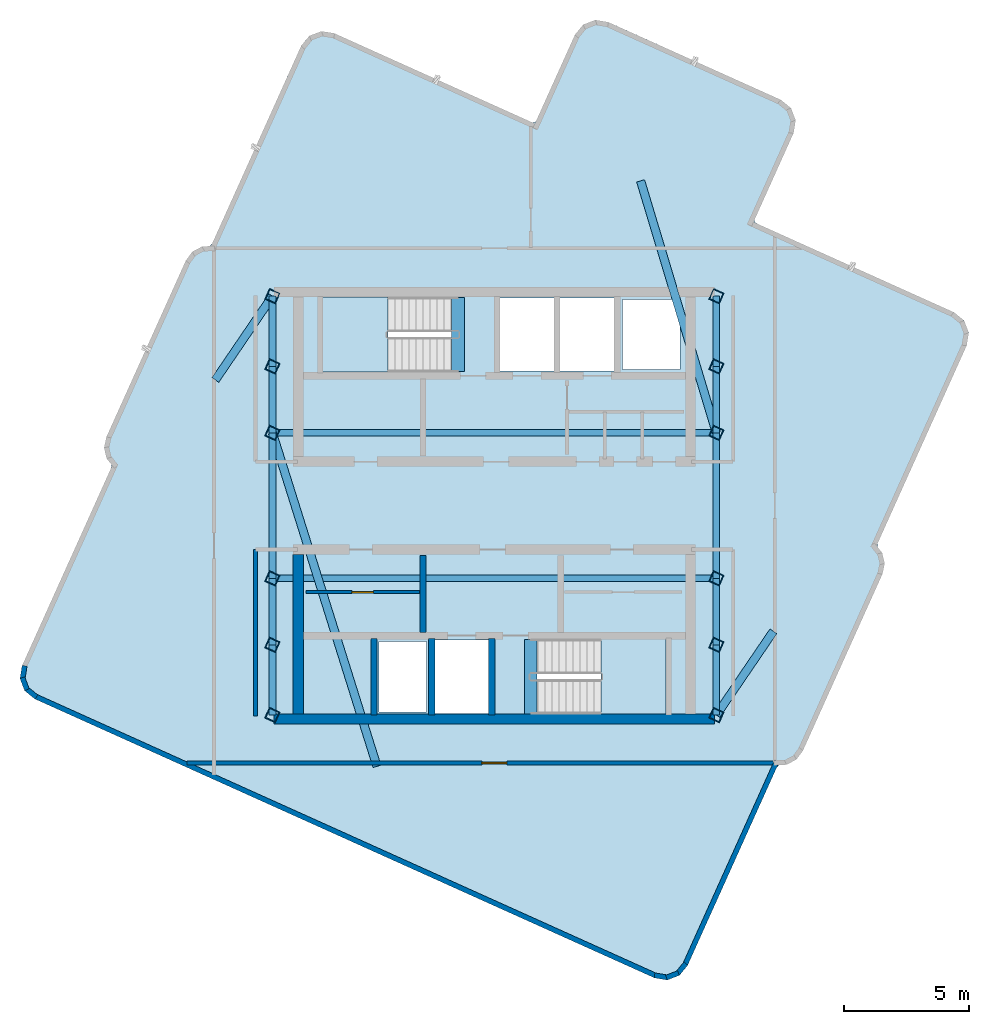
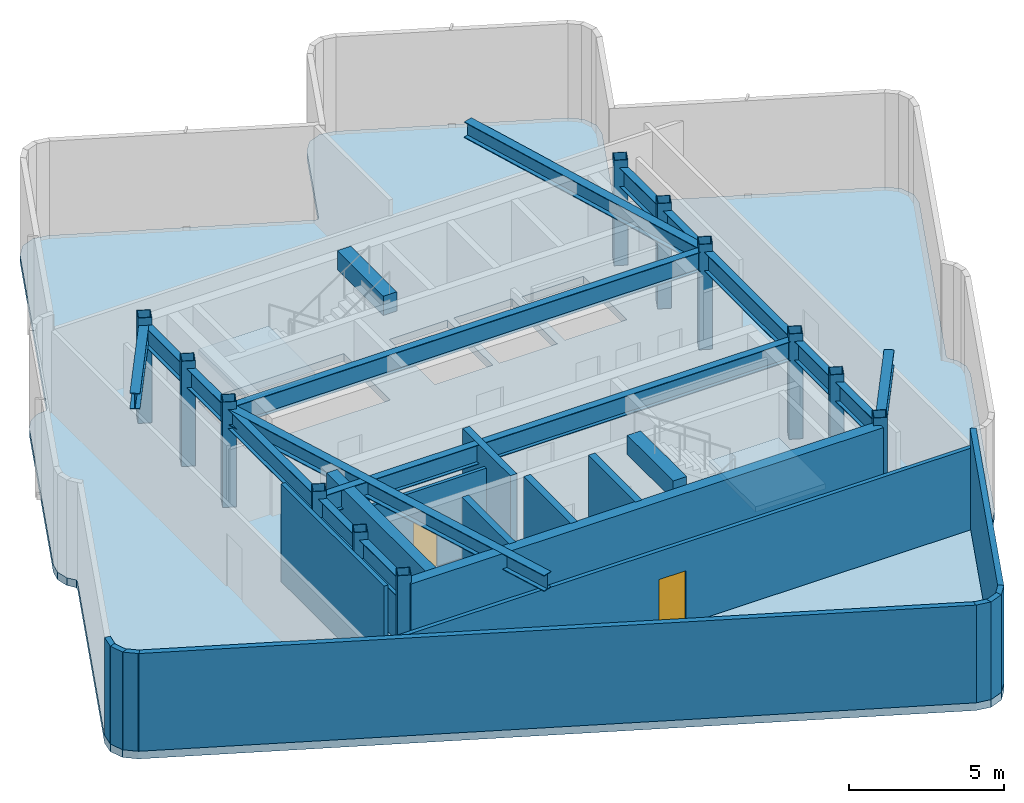
# One storey, part 1 of 4: 18 beams, 17 walls, 12 columns, 3 slabs, 2 doors, 2 openings, 2 elements without a shape of their own.
"""IFC4 building model written with IfcOpenShell, lengths in metres."""

from ifc_helpers import new_model, si_unit, direction, frame, frame_2d, origin, origin_2d, place, context, subcontext, project, spatial, polyline, rectangle, hollow_rectangle, i_section, outline, extrude, material, layer, layer_set, material_profile, profile_set, type_object, element, fill, aggregate, save


model = new_model("IFC4")

# Units and contexts
model_context = context("Model", 3, precision=1e-05, world=origin(), true_north=direction((0.0, 1.0)))
body_context = subcontext(model_context, "Body", "Model", "MODEL_VIEW")
ifc_project = project(units=[si_unit("LENGTHUNIT", "METRE"), si_unit("AREAUNIT", "SQUARE_METRE"), si_unit("VOLUMEUNIT", "CUBIC_METRE"), si_unit("PLANEANGLEUNIT", "RADIAN"), si_unit("MASSUNIT", "GRAM", prefix="KILO")], contexts=[model_context])

# Site, building, storey
site_placement = place(None, origin())
site = spatial("IfcSite", under=ifc_project, at=site_placement, CompositionType="ELEMENT")
building_placement = place(site_placement, origin())
building = spatial("IfcBuilding", under=site, at=building_placement, Name="Solmarez Civic Tower", CompositionType="ELEMENT")
storey_placement = place(building_placement, frame((0.0, 0.0, 297.5400390625)))
storey = spatial("IfcBuildingStorey", under=building, at=storey_placement, Name="L80 Crown", CompositionType="ELEMENT", Elevation=297.5400390625)

# Columns
ifc_material_1 = material(Name="Steel S355", Category="steel")
ifc_material_profile_1 = material_profile(ifc_material_1, hollow_rectangle(XDim=0.449951171875, YDim=0.449951171875, WallThickness=0.02197265625, at=origin_2d()), Name="HSS450X450X22")
ifc_profile_set_1 = profile_set([ifc_material_profile_1], Name="Steel S355")
column_type = type_object("IfcColumnType", Name="COL-HSS450", PredefinedType="COLUMN", material=ifc_profile_set_1)
for number, where, z_axis, x_axis, name in (
    (1, (-8.85009765625, -5.550048828125, 0.0), (0.0, 0.0, 1.0), (0.410559713862, 0.911833713653, 0.0), "L80 Crown Structural Column HC1"),
    (2, (-8.85009765625, -2.89990234375, 0.0), (0.0, 0.0, 1.0), (0.410559713862, 0.911833713653, 0.0), "L80 Crown Structural Column HC2"),
    (3, (-8.85009765625, 2.89990234375, 0.0), (0.0, 0.0, 1.0), (0.410559713862, 0.911833713653, 0.0), "L80 Crown Structural Column HC3"),
    (4, (-8.85009765625, 5.550048828125, 0.0), (0.0, 0.0, 1.0), (0.410559713862, 0.911833713653, 0.0), "L80 Crown Structural Column HC4"),
    (5, (8.85009765625, -5.550048828125, 0.0), (0.0, 0.0, 1.0), (0.410559713862, 0.911833713653, 0.0), "L80 Crown Structural Column HC5"),
    (6, (8.85009765625, -2.89990234375, 0.0), (0.0, 0.0, 1.0), (0.410559713862, 0.911833713653, 0.0), "L80 Crown Structural Column HC6"),
    (7, (8.85009765625, 2.89990234375, 0.0), (0.0, 0.0, 1.0), (0.410559713862, 0.911833713653, 0.0), "L80 Crown Structural Column HC7"),
    (8, (8.85009765625, 5.550048828125, 0.0), (0.0, 0.0, 1.0), (0.410559713862, 0.911833713653, 0.0), "L80 Crown Structural Column HC8"),
    (9, (-8.85009765625, 8.35009765625, 0.0), (0.0, 0.0, 1.0), (0.410559713862, 0.911833713653, 0.0), "L80 Crown Structural Column HC9"),
    (10, (8.85009765625, -8.35009765625, 0.0), (0.0, 0.0, 1.0), (0.410559713862, 0.911833713653, 0.0), "L80 Crown Structural Column HC10"),
    (11, (8.85009765625, 8.35009765625, 0.0), (0.0, 0.0, 1.0), (0.410559713862, 0.911833713653, 0.0), "L80 Crown Structural Column HC11"),
    (12, (-8.85009765625, -8.35009765625, 0.0), (0.0, 0.0, 1.0), (0.410559713862, 0.911833713653, 0.0), "L80 Crown Structural Column HC12"),
):
    element("IfcColumn", number, at=place(storey_placement, frame(where, z_axis=z_axis, x_axis=x_axis)), inside=storey, type_object=column_type, Name=name, PredefinedType="COLUMN", context=body_context, shape_type="SweptSolid", body=[
        extrude(hollow_rectangle(XDim=0.449951171875, YDim=0.449951171875, WallThickness=0.02197265625, at=origin_2d()), origin(), (0.0, 0.0, 1.0), 4.139892578125),
    ])

# Beams
ifc_material_2 = material(Name="Concrete C50/60", Category="concrete")
ifc_material_profile_2 = material_profile(ifc_material_2, rectangle(XDim=0.5, YDim=0.75, at=origin_2d()), Name="RC500X750")
ifc_profile_set_2 = profile_set([ifc_material_profile_2], Name="Concrete C50/60")
beam_type_1 = type_object("IfcBeamType", Name="BM-PR-RC500X750", PredefinedType="BEAM", material=ifc_profile_set_2)
for number, where, z_axis, x_axis, name in (
    (13, (-1.449951171875, 5.340087890625, 3.77294921875), (0.0, 1.0, 0.0), (-1.0, 0.0, 0.0), "L80 Crown North Stair Threshold Beam"),
    (14, (1.449951171875, -8.300048828125, 3.77294921875), (0.0, 1.0, 0.0), (-1.0, 0.0, 0.0), "L80 Crown South Stair Threshold Beam"),
):
    element("IfcBeam", number, at=place(storey_placement, frame(where, z_axis=z_axis, x_axis=x_axis)), inside=storey, type_object=beam_type_1, Name=name, PredefinedType="BEAM", context=body_context, shape_type="SweptSolid", body=[
        extrude(rectangle(XDim=0.5, YDim=0.75, at=origin_2d()), origin(), (0.0, 0.0, 1.0), 2.9599609375),
    ])
ifc_material_profile_3 = material_profile(ifc_material_1, i_section(OverallWidth=0.327880859375, OverallDepth=0.6220703125, WebThickness=0.015380859375, FlangeThickness=0.0244140625, at=origin_2d()), Name="W24X131")
ifc_profile_set_3 = profile_set([ifc_material_profile_3], Name="Steel S355")
beam_type_2 = type_object("IfcBeamType", Name="BM-PR-W24X131", PredefinedType="BEAM", material=ifc_profile_set_3)
beam_1_placement = place(storey_placement, frame((8.85009765625, 2.89990234375, 3.529052734375), z_axis=(-0.287836709223, 0.957679502142, 0.0), x_axis=(-0.957679502142, -0.287836709223, 0.0)))
element("IfcBeam", 15, at=beam_1_placement, inside=storey, type_object=beam_type_2, Name="L80 Crown Primary Floor Beam BM-L80 Crown-CR-E2", PredefinedType="BEAM", context=body_context, shape_type="SweptSolid", body=[
    extrude(i_section(OverallWidth=0.327880859375, OverallDepth=0.6220703125, WebThickness=0.015380859375, FlangeThickness=0.0244140625, at=origin_2d()), origin(), (0.0, 0.0, 1.0), 10.4921875),
])
beam_2_placement = place(storey_placement, frame((-8.85009765625, 8.35009765625, 3.529052734375), z_axis=(-0.56264870041, -0.826696098895, 0.0), x_axis=(0.826696098895, -0.56264870041, 0.0)))
element("IfcBeam", 16, at=beam_2_placement, inside=storey, type_object=beam_type_2, Name="L80 Crown Primary Floor Beam BM-L80 Crown-CR-N2", PredefinedType="BEAM", context=body_context, shape_type="SweptSolid", body=[
    extrude(i_section(OverallWidth=0.327880859375, OverallDepth=0.6220703125, WebThickness=0.015380859375, FlangeThickness=0.0244140625, at=origin_2d()), origin(), (0.0, 0.0, 1.0), 4.04150390625),
])
beam_3_placement = place(storey_placement, frame((-8.85009765625, 2.89990234375, 3.529052734375), z_axis=(0.299288465679, -0.954162677069, 0.0), x_axis=(0.954162677069, 0.299288465679, 0.0)))
element("IfcBeam", 17, at=beam_3_placement, inside=storey, type_object=beam_type_2, Name="L80 Crown Primary Floor Beam BM-L80 Crown-CR-W1", PredefinedType="BEAM", context=body_context, shape_type="SweptSolid", body=[
    extrude(i_section(OverallWidth=0.327880859375, OverallDepth=0.6220703125, WebThickness=0.015380859375, FlangeThickness=0.0244140625, at=origin_2d()), origin(), (0.0, 0.0, 1.0), 13.93359375),
])
beam_4_placement = place(storey_placement, frame((8.85009765625, -8.35009765625, 3.529052734375), z_axis=(0.56264870041, 0.826696098895, 0.0), x_axis=(-0.826696098895, 0.56264870041, 0.0)))
element("IfcBeam", 18, at=beam_4_placement, inside=storey, type_object=beam_type_2, Name="L80 Crown Primary Floor Beam BM-L80 Crown-CR-S2", PredefinedType="BEAM", context=body_context, shape_type="SweptSolid", body=[
    extrude(i_section(OverallWidth=0.327880859375, OverallDepth=0.6220703125, WebThickness=0.015380859375, FlangeThickness=0.0244140625, at=origin_2d()), origin(), (0.0, 0.0, 1.0), 4.04150390625),
])
ifc_material_profile_4 = material_profile(ifc_material_1, i_section(OverallWidth=0.26708984375, OverallDepth=0.761962890625, WebThickness=0.014404296875, FlangeThickness=0.021484375, at=origin_2d()), Name="W30X116")
ifc_profile_set_4 = profile_set([ifc_material_profile_4], Name="Steel S355")
beam_type_3 = type_object("IfcBeamType", Name="BM-PR-W30X116", PredefinedType="BEAM", material=ifc_profile_set_4)
beam_5_placement = place(storey_placement, frame((-8.85009765625, -8.35009765625, 3.458984375), z_axis=(0.0, 1.0, 0.0), x_axis=(-1.0, 0.0, 0.0)))
element("IfcBeam", 19, at=beam_5_placement, inside=storey, type_object=beam_type_3, Name="L80 Crown Primary Floor Beam BM-L80 Crown-HC12-HC1", PredefinedType="BEAM", context=body_context, shape_type="SweptSolid", body=[
    extrude(i_section(OverallWidth=0.26708984375, OverallDepth=0.761962890625, WebThickness=0.014404296875, FlangeThickness=0.021484375, at=origin_2d()), origin(), (0.0, 0.0, 1.0), 2.800048828125),
])
beam_6_placement = place(storey_placement, frame((-8.85009765625, -5.550048828125, 3.458984375), z_axis=(0.0, 1.0, 0.0), x_axis=(-1.0, 0.0, 0.0)))
element("IfcBeam", 20, at=beam_6_placement, inside=storey, type_object=beam_type_3, Name="L80 Crown Primary Floor Beam BM-L80 Crown-HC1-HC2", PredefinedType="BEAM", context=body_context, shape_type="SweptSolid", body=[
    extrude(i_section(OverallWidth=0.26708984375, OverallDepth=0.761962890625, WebThickness=0.014404296875, FlangeThickness=0.021484375, at=origin_2d()), origin(), (0.0, 0.0, 1.0), 2.650146484375),
])
beam_7_placement = place(storey_placement, frame((-8.85009765625, -2.89990234375, 3.458984375), z_axis=(0.0, 1.0, 0.0), x_axis=(-1.0, 0.0, 0.0)))
element("IfcBeam", 21, at=beam_7_placement, inside=storey, type_object=beam_type_3, Name="L80 Crown Primary Floor Beam BM-L80 Crown-HC2-HC3", PredefinedType="BEAM", context=body_context, shape_type="SweptSolid", body=[
    extrude(i_section(OverallWidth=0.26708984375, OverallDepth=0.761962890625, WebThickness=0.014404296875, FlangeThickness=0.021484375, at=origin_2d()), origin(), (0.0, 0.0, 1.0), 5.7998046875),
])
beam_8_placement = place(storey_placement, frame((-8.85009765625, 2.89990234375, 3.458984375), z_axis=(0.0, 1.0, 0.0), x_axis=(-1.0, 0.0, 0.0)))
element("IfcBeam", 22, at=beam_8_placement, inside=storey, type_object=beam_type_3, Name="L80 Crown Primary Floor Beam BM-L80 Crown-HC3-HC4", PredefinedType="BEAM", context=body_context, shape_type="SweptSolid", body=[
    extrude(i_section(OverallWidth=0.26708984375, OverallDepth=0.761962890625, WebThickness=0.014404296875, FlangeThickness=0.021484375, at=origin_2d()), origin(), (0.0, 0.0, 1.0), 2.650146484375),
])
for number, where, z_axis, x_axis, name in (
    (23, (-8.85009765625, 5.550048828125, 3.458984375), (0.0, 1.0, 0.0), (-1.0, 0.0, 0.0), "L80 Crown Primary Floor Beam BM-L80 Crown-HC4-HC9"),
    (24, (8.85009765625, -8.35009765625, 3.458984375), (0.0, 1.0, 0.0), (-1.0, 0.0, 0.0), "L80 Crown Primary Floor Beam BM-L80 Crown-HC10-HC5"),
):
    element("IfcBeam", number, at=place(storey_placement, frame(where, z_axis=z_axis, x_axis=x_axis)), inside=storey, type_object=beam_type_3, Name=name, PredefinedType="BEAM", context=body_context, shape_type="SweptSolid", body=[
        extrude(i_section(OverallWidth=0.26708984375, OverallDepth=0.761962890625, WebThickness=0.014404296875, FlangeThickness=0.021484375, at=origin_2d()), origin(), (0.0, 0.0, 1.0), 2.800048828125),
    ])
beam_9_placement = place(storey_placement, frame((8.85009765625, -5.550048828125, 3.458984375), z_axis=(0.0, 1.0, 0.0), x_axis=(-1.0, 0.0, 0.0)))
element("IfcBeam", 25, at=beam_9_placement, inside=storey, type_object=beam_type_3, Name="L80 Crown Primary Floor Beam BM-L80 Crown-HC5-HC6", PredefinedType="BEAM", context=body_context, shape_type="SweptSolid", body=[
    extrude(i_section(OverallWidth=0.26708984375, OverallDepth=0.761962890625, WebThickness=0.014404296875, FlangeThickness=0.021484375, at=origin_2d()), origin(), (0.0, 0.0, 1.0), 2.650146484375),
])
beam_10_placement = place(storey_placement, frame((8.85009765625, -2.89990234375, 3.458984375), z_axis=(0.0, 1.0, 0.0), x_axis=(-1.0, 0.0, 0.0)))
element("IfcBeam", 26, at=beam_10_placement, inside=storey, type_object=beam_type_3, Name="L80 Crown Primary Floor Beam BM-L80 Crown-HC6-HC7", PredefinedType="BEAM", context=body_context, shape_type="SweptSolid", body=[
    extrude(i_section(OverallWidth=0.26708984375, OverallDepth=0.761962890625, WebThickness=0.014404296875, FlangeThickness=0.021484375, at=origin_2d()), origin(), (0.0, 0.0, 1.0), 5.7998046875),
])
beam_11_placement = place(storey_placement, frame((8.85009765625, 2.89990234375, 3.458984375), z_axis=(0.0, 1.0, 0.0), x_axis=(-1.0, 0.0, 0.0)))
element("IfcBeam", 27, at=beam_11_placement, inside=storey, type_object=beam_type_3, Name="L80 Crown Primary Floor Beam BM-L80 Crown-HC7-HC8", PredefinedType="BEAM", context=body_context, shape_type="SweptSolid", body=[
    extrude(i_section(OverallWidth=0.26708984375, OverallDepth=0.761962890625, WebThickness=0.014404296875, FlangeThickness=0.021484375, at=origin_2d()), origin(), (0.0, 0.0, 1.0), 2.650146484375),
])
beam_12_placement = place(storey_placement, frame((8.85009765625, 5.550048828125, 3.458984375), z_axis=(0.0, 1.0, 0.0), x_axis=(-1.0, 0.0, 0.0)))
element("IfcBeam", 28, at=beam_12_placement, inside=storey, type_object=beam_type_3, Name="L80 Crown Primary Floor Beam BM-L80 Crown-HC8-HC11", PredefinedType="BEAM", context=body_context, shape_type="SweptSolid", body=[
    extrude(i_section(OverallWidth=0.26708984375, OverallDepth=0.761962890625, WebThickness=0.014404296875, FlangeThickness=0.021484375, at=origin_2d()), origin(), (0.0, 0.0, 1.0), 2.800048828125),
])
for number, where, z_axis, x_axis, name in (
    (29, (-8.85009765625, -2.89990234375, 3.458984375), (1.0, 0.0, 0.0), (0.0, 1.0, 0.0), "L80 Crown Primary Floor Beam BM-L80 Crown-HC2-HC6"),
    (30, (-8.85009765625, 2.89990234375, 3.458984375), (1.0, 0.0, 0.0), (0.0, 1.0, 0.0), "L80 Crown Primary Floor Beam BM-L80 Crown-HC3-HC7"),
):
    element("IfcBeam", number, at=place(storey_placement, frame(where, z_axis=z_axis, x_axis=x_axis)), inside=storey, type_object=beam_type_3, Name=name, PredefinedType="BEAM", context=body_context, shape_type="SweptSolid", body=[
        extrude(i_section(OverallWidth=0.26708984375, OverallDepth=0.761962890625, WebThickness=0.014404296875, FlangeThickness=0.021484375, at=origin_2d()), origin(), (0.0, 0.0, 1.0), 17.7001953125),
    ])

# Slab
ifc_layer_1 = layer(ifc_material_2, 0.300048828125)
ifc_layer_set_1 = layer_set([ifc_layer_1], Name="Concrete C50/60")
slab_type_1 = type_object("IfcSlabType", Name="SLAB-CROWN-300", PredefinedType="FLOOR", material=ifc_layer_set_1)
slab_1_placement = place(storey_placement, frame((0.0, 0.0, -0.300048828125)))
element("IfcSlab", 31, at=slab_1_placement, inside=storey, type_object=slab_type_1, Name="L80 Crown Structural Slab", PredefinedType="FLOOR", context=body_context, shape_type="SweptSolid", body=[
    extrude(outline(polyline([(-15.263916015625, 1.612060546875), (-15.282958984375, 1.49609375), (-18.830078125, -6.382080078125), (-18.9130859375, -6.89306640625), (-18.72998046875, -7.376953125), (-18.3291015625, -7.7041015625), (6.382080078125, -18.830078125), (6.89306640625, -18.9130859375), (7.376953125, -18.72998046875), (7.7041015625, -18.3291015625), (11.2509765625, -10.450927734375), (11.325927734375, -10.360107421875), (11.364990234375, -10.344970703125), (11.657958984375, -10.327880859375), (12.0400390625, -10.123046875), (12.298095703125, -9.77587890625), (15.471923828125, -2.72802734375), (15.56005859375, -2.303955078125), (15.4609375, -1.882080078125), (15.279052734375, -1.652099609375), (15.263916015625, -1.612060546875), (15.282958984375, -1.49609375), (18.830078125, 6.382080078125), (18.9130859375, 6.89306640625), (18.72998046875, 7.376953125), (18.3291015625, 7.7041015625), (10.450927734375, 11.2509765625), (10.367919921875, 11.319091796875), (10.385009765625, 11.425048828125), (11.927978515625, 14.85205078125), (12.010986328125, 15.363037109375), (11.827880859375, 15.846923828125), (11.427001953125, 16.175048828125), (4.534912109375, 19.278076171875), (4.02490234375, 19.361083984375), (3.541015625, 19.177001953125), (3.212890625, 18.77587890625), (1.669921875, 15.34912109375), (1.60205078125, 15.26611328125), (1.49609375, 15.282958984375), (-6.382080078125, 18.830078125), (-6.89306640625, 18.9130859375), (-7.376953125, 18.72998046875), (-7.7041015625, 18.3291015625), (-11.2509765625, 10.450927734375), (-11.325927734375, 10.360107421875), (-11.364990234375, 10.344970703125), (-11.657958984375, 10.327880859375), (-12.0400390625, 10.123046875), (-12.298095703125, 9.77587890625), (-15.471923828125, 2.72802734375), (-15.56005859375, 2.303955078125), (-15.4609375, 1.882080078125), (-15.279052734375, 1.652099609375), (-15.263916015625, 1.612060546875)]), holes=[polyline([(-1.449951171875, 8.320068359375), (-6.85009765625, 8.320068359375), (-6.85009765625, 5.320068359375), (-1.449951171875, 5.320068359375), (-1.449951171875, 8.320068359375)]), polyline([(1.449951171875, -8.320068359375), (6.85009765625, -8.320068359375), (6.85009765625, -5.320068359375), (1.449951171875, -5.320068359375), (1.449951171875, -8.320068359375)]), polyline([(0.219970703125, 5.360107421875), (2.3798828125, 5.360107421875), (2.3798828125, 8.280029296875), (0.219970703125, 8.280029296875), (0.219970703125, 5.360107421875)]), polyline([(2.6201171875, 5.360107421875), (4.780029296875, 5.360107421875), (4.780029296875, 8.280029296875), (2.6201171875, 8.280029296875), (2.6201171875, 5.360107421875)]), polyline([(-2.3798828125, -8.280029296875), (-0.219970703125, -8.280029296875), (-0.219970703125, -5.360107421875), (-2.3798828125, -5.360107421875), (-2.3798828125, -8.280029296875)]), polyline([(5.10009765625, 5.419921875), (7.39990234375, 5.419921875), (7.39990234375, 8.219970703125), (5.10009765625, 8.219970703125), (5.10009765625, 5.419921875)]), polyline([(-4.60009765625, -8.219970703125), (-2.699951171875, -8.219970703125), (-2.699951171875, -5.419921875), (-4.60009765625, -5.419921875), (-4.60009765625, -8.219970703125)])]), origin(), (0.0, 0.0, 1.0), 0.300048828125),
])

# Stair, slab
stair_type = type_object("IfcStairType", Name="STAIR-DOGLEG-140W-22R-1882", PredefinedType="HALF_TURN_STAIR", material=ifc_material_2)
stair_1_placement = place(storey_placement, origin())
stair_1 = element("IfcStair", 32, at=stair_1_placement, inside=storey, type_object=stair_type, Name="L80 Crown North Core Protected Exit Stair ST-1", PredefinedType="HALF_TURN_STAIR")
ifc_layer_2 = layer(ifc_material_2, 0.199951171875)
ifc_layer_set_2 = layer_set([ifc_layer_2], Name="Concrete C50/60")
slab_type_2 = type_object("IfcSlabType", Name="SLAB-LANDING-200", PredefinedType="LANDING", material=ifc_layer_set_2)
slab_2_placement = place(storey_placement, frame((0.0, 0.0, 1.869873046875)))
slab_2 = element("IfcSlab", 33, at=slab_2_placement, type_object=slab_type_2, Name="ST-1 landing 1", PredefinedType="LANDING", context=body_context, shape_type="SweptSolid", body=[
    extrude(outline(polyline([(-4.25, 8.320068359375), (-6.85009765625, 8.320068359375), (-6.85009765625, 5.320068359375), (-4.25, 5.320068359375), (-4.25, 8.320068359375)])), origin(), (0.0, 0.0, 1.0), 0.2001953125),
])
aggregate(stair_1, [slab_2])

stair_2_placement = place(storey_placement, origin())
stair_2 = element("IfcStair", 34, at=stair_2_placement, inside=storey, type_object=stair_type, Name="L80 Crown South Core Protected Exit Stair ST-2", PredefinedType="HALF_TURN_STAIR")
slab_3_placement = place(storey_placement, frame((0.0, 0.0, 1.869873046875)))
slab_3 = element("IfcSlab", 35, at=slab_3_placement, type_object=slab_type_2, Name="ST-2 landing 1", PredefinedType="LANDING", context=body_context, shape_type="SweptSolid", body=[
    extrude(outline(polyline([(4.25, -8.320068359375), (6.85009765625, -8.320068359375), (6.85009765625, -5.320068359375), (4.25, -5.320068359375), (4.25, -8.320068359375)])), origin(), (0.0, 0.0, 1.0), 0.2001953125),
])
aggregate(stair_2, [slab_3])

# Walls
ifc_layer_3 = layer(ifc_material_2, 0.39990234375)
ifc_layer_set_3 = layer_set([ifc_layer_3], Name="Concrete C50/60")
wall_type_1 = type_object("IfcWallType", Name="WALL-CORE-400", PredefinedType="SHEAR", material=ifc_layer_set_3)
wall_1_placement = place(storey_placement, frame((8.780029296875, -8.510009765625, 0.0), z_axis=(0.0, 0.0, 1.0), x_axis=(-1.0, 0.0, 0.0)))
element("IfcWall", 36, at=wall_1_placement, inside=storey, type_object=wall_type_1, Name="L80 Crown Split-Core Structural Wall SCW-S-L80 Crown", PredefinedType="SHEAR", context=body_context, shape_type="SweptSolid", body=[
    extrude(rectangle(XDim=17.56005859375, YDim=0.39990234375, at=frame_2d((8.780029296875, 0.0))), origin(), (0.0, 0.0, 1.0), 3.83984375),
])
wall_2_placement = place(storey_placement, frame((-7.820068359375, -8.31005859375, 0.0), z_axis=(0.0, 0.0, 1.0), x_axis=(0.0, 1.0, 0.0)))
element("IfcWall", 37, at=wall_2_placement, inside=storey, type_object=wall_type_1, Name="L80 Crown Split-Core Structural Wall SCW-W-L80 Crown", PredefinedType="SHEAR", context=body_context, shape_type="SweptSolid", body=[
    extrude(rectangle(XDim=6.360107421875, YDim=0.39990234375, at=frame_2d((3.18017578125, 0.0))), origin(), (0.0, 0.0, 1.0), 3.83984375),
])
ifc_material_3 = material(Name="Precast concrete C40/50", Category="concrete")
ifc_layer_4 = layer(ifc_material_3, 0.199951171875)
ifc_layer_set_4 = layer_set([ifc_layer_4], Name="Precast concrete C40/50")
wall_type_2 = type_object("IfcWallType", Name="WALL-EXT-200", PredefinedType="SOLIDWALL", material=ifc_layer_set_4)
wall_3_placement = place(storey_placement, frame((11.263916015625, -10.178955078125, 0.0), z_axis=(0.0, 0.0, 1.0), x_axis=(-0.410547059118, -0.911839411437, 0.0)))
element("IfcWall", 38, at=wall_3_placement, inside=storey, type_object=wall_type_2, Name="L80 Crown Exterior Precast Wall 44", PredefinedType="SOLIDWALL", context=body_context, shape_type="SweptSolid", body=[
    extrude(rectangle(XDim=8.9052734375, YDim=0.199951171875, at=frame_2d((4.45263671875, 0.0))), origin(), (0.0, 0.0, 1.0), 3.83984375),
])
wall_4_placement = place(storey_placement, frame((7.634033203125, -18.257080078125, 0.0), z_axis=(0.0, 0.0, 1.0), x_axis=(-0.63346470779, -0.773771583857, 0.0)))
element("IfcWall", 39, at=wall_4_placement, inside=storey, type_object=wall_type_2, Name="L80 Crown Exterior Precast Wall 45", PredefinedType="SOLIDWALL", context=body_context, shape_type="SweptSolid", body=[
    extrude(rectangle(XDim=0.52734375, YDim=0.199951171875, at=frame_2d((0.263671875, 0.0))), origin(), (0.0, 0.0, 1.0), 3.83984375),
])
wall_5_placement = place(storey_placement, frame((7.339111328125, -18.636962890625, 0.0), z_axis=(0.0, 0.0, 1.0), x_axis=(-0.935013831521, -0.354611244695, 0.0)))
element("IfcWall", 40, at=wall_5_placement, inside=storey, type_object=wall_type_2, Name="L80 Crown Exterior Precast Wall 46", PredefinedType="SOLIDWALL", context=body_context, shape_type="SweptSolid", body=[
    extrude(rectangle(XDim=0.513671875, YDim=0.199951171875, at=frame_2d((0.2568359375, 0.0))), origin(), (0.0, 0.0, 1.0), 3.83984375),
])
wall_6_placement = place(storey_placement, frame((6.906982421875, -18.81396484375, 0.0), z_axis=(0.0, 0.0, 1.0), x_axis=(-0.987255192858, 0.159145166984, 0.0)))
element("IfcWall", 41, at=wall_6_placement, inside=storey, type_object=wall_type_2, Name="L80 Crown Exterior Precast Wall 47", PredefinedType="SOLIDWALL", context=body_context, shape_type="SweptSolid", body=[
    extrude(rectangle(XDim=0.52783203125, YDim=0.199951171875, at=frame_2d((0.263916015625, 0.0))), origin(), (0.0, 0.0, 1.0), 3.83984375),
])
wall_7_placement = place(storey_placement, frame((6.43408203125, -18.743896484375, 0.0), z_axis=(0.0, 0.0, 1.0), x_axis=(-0.911837784954, 0.410550671574, 0.0)))
element("IfcWall", 42, at=wall_7_placement, inside=storey, type_object=wall_type_2, Name="L80 Crown Exterior Precast Wall 48", PredefinedType="SOLIDWALL", context=body_context, shape_type="SweptSolid", body=[
    extrude(rectangle(XDim=27.12451171875, YDim=0.199951171875, at=frame_2d((13.562255859375, 0.0))), origin(), (0.0, 0.0, 1.0), 3.83984375),
])
wall_8_placement = place(storey_placement, frame((-18.257080078125, -7.634033203125, 0.0), z_axis=(0.0, 0.0, 1.0), x_axis=(-0.773771583857, 0.63346470779, 0.0)))
element("IfcWall", 43, at=wall_8_placement, inside=storey, type_object=wall_type_2, Name="L80 Crown Exterior Precast Wall 49", PredefinedType="SOLIDWALL", context=body_context, shape_type="SweptSolid", body=[
    extrude(rectangle(XDim=0.52734375, YDim=0.199951171875, at=frame_2d((0.263671875, 0.0))), origin(), (0.0, 0.0, 1.0), 3.83984375),
])
wall_9_placement = place(storey_placement, frame((-18.636962890625, -7.339111328125, 0.0), z_axis=(0.0, 0.0, 1.0), x_axis=(-0.354611244695, 0.935013831521, 0.0)))
element("IfcWall", 44, at=wall_9_placement, inside=storey, type_object=wall_type_2, Name="L80 Crown Exterior Precast Wall 50", PredefinedType="SOLIDWALL", context=body_context, shape_type="SweptSolid", body=[
    extrude(rectangle(XDim=0.513671875, YDim=0.199951171875, at=frame_2d((0.2568359375, 0.0))), origin(), (0.0, 0.0, 1.0), 3.83984375),
])
wall_10_placement = place(storey_placement, frame((-18.81396484375, -6.906982421875, 0.0), z_axis=(0.0, 0.0, 1.0), x_axis=(0.159145166984, 0.987255192858, 0.0)))
element("IfcWall", 45, at=wall_10_placement, inside=storey, type_object=wall_type_2, Name="L80 Crown Exterior Precast Wall 51", PredefinedType="SOLIDWALL", context=body_context, shape_type="SweptSolid", body=[
    extrude(rectangle(XDim=0.52783203125, YDim=0.199951171875, at=frame_2d((0.263916015625, 0.0))), origin(), (0.0, 0.0, 1.0), 3.83984375),
])
ifc_material_4 = material(Name="Gypsum Board Acoustic Steel-Stud Partition", Category="steel")
ifc_layer_5 = layer(ifc_material_4, 0.14990234375)
ifc_layer_set_5 = layer_set([ifc_layer_5], Name="Gypsum Board Acoustic Steel-Stud Partition")
wall_type_3 = type_object("IfcWallType", Name="WALL-INT-FIRE-150", PredefinedType="PARTITIONING", material=ifc_layer_set_5)
wall_11_placement = place(storey_placement, frame((-9.52001953125, -8.3798828125, 0.0), z_axis=(0.0, 0.0, 1.0), x_axis=(0.0, 1.0, 0.0)))
element("IfcWall", 46, at=wall_11_placement, inside=storey, type_object=wall_type_3, Name="L80 Crown Interior Partition CHW-L80 Crown-WS1", PredefinedType="PARTITIONING", context=body_context, shape_type="SweptSolid", body=[
    extrude(rectangle(XDim=6.6298828125, YDim=0.14990234375, at=frame_2d((3.31494140625, 0.0))), origin(), (0.0, 0.0, 1.0), 3.83984375),
])

# Wall, opening, door
wall_12_placement = place(storey_placement, frame((11.194091796875, -10.260009765625, 0.0), z_axis=(0.0, 0.0, 1.0), x_axis=(-1.0, 0.0, 0.0)))
wall_12 = element("IfcWall", 47, at=wall_12_placement, inside=storey, type_object=wall_type_3, Name="L80 Crown Interior Partition PT-L80 Crown-S", PredefinedType="PARTITIONING", context=body_context, shape_type="SweptSolid", body=[
    extrude(rectangle(XDim=23.445068359375, YDim=0.14990234375, at=frame_2d((11.72265625, 0.0))), origin(), (0.0, 0.0, 1.0), 3.2099609375),
])
opening_1_placement = place(wall_12_placement, frame((10.694091796875, 0.0, 0.0)))
opening_1 = element("IfcOpeningElement", 48, at=opening_1_placement, cuts=wall_12, Name="Opening D-04", PredefinedType="OPENING", context=body_context, shape_type="SweptSolid", body=[
    extrude(rectangle(XDim=1.0, YDim=2.10009765625, at=frame_2d((0.5, 1.050048828125))), frame((0.0, 0.0849609375, 0.0), z_axis=(0.0, -1.0, 0.0), x_axis=(1.0, 0.0, 0.0)), (0.0, 0.0, 1.0), 0.169921875),
])
ifc_material_5 = material(Name="Steel-Faced Acoustic Fire Door", Category="steel")
door_type_1 = type_object("IfcDoorType", Name="DOOR-FD60-1000", OperationType="NOTDEFINED", PredefinedType="DOOR", material=ifc_material_5)
door_1_placement = place(opening_1_placement, origin())
door_1 = element("IfcDoor", 49, at=door_1_placement, inside=storey, type_object=door_type_1, Name="L80 Crown Crown Electrical Switch Plant Room Door", OperationType="SINGLE_SWING_RIGHT", OverallHeight=2.10009765625, OverallWidth=1.0, PredefinedType="DOOR", context=body_context, shape_type="SweptSolid", body=[
    extrude(rectangle(XDim=1.0, YDim=2.10009765625, at=frame_2d((0.5, 1.050048828125))), frame((0.0, 0.02490234375, 0.0), z_axis=(0.0, -1.0, 0.0), x_axis=(1.0, 0.0, 0.0)), (0.0, 0.0, 1.0), 0.050048828125),
])
fill(opening_1, door_1)

ifc_layer_6 = layer(ifc_material_4, 0.1201171875)
ifc_layer_set_6 = layer_set([ifc_layer_6], Name="Gypsum Board Acoustic Steel-Stud Partition")
wall_type_4 = type_object("IfcWallType", Name="WALL-INT-PART-120", PredefinedType="PARTITIONING", material=ifc_layer_set_6)
wall_13_placement = place(storey_placement, frame((-7.52001953125, -3.449951171875, 0.0), z_axis=(0.0, 0.0, 1.0), x_axis=(1.0, 0.0, 0.0)))
wall_13 = element("IfcWall", 50, at=wall_13_placement, inside=storey, type_object=wall_type_4, Name="L80 Crown Interior Partition PT-FPLM-L80 Crown", PredefinedType="PARTITIONING", context=body_context, shape_type="SweptSolid", body=[
    extrude(rectangle(XDim=4.5400390625, YDim=0.1201171875, at=frame_2d((2.27001953125, 0.0))), origin(), (0.0, 0.0, 1.0), 3.2099609375),
])
opening_2_placement = place(wall_13_placement, frame((1.840087890625, 0.0, 0.0)))
opening_2 = element("IfcOpeningElement", 51, at=opening_2_placement, cuts=wall_13, Name="Opening D-14", PredefinedType="OPENING", context=body_context, shape_type="SweptSolid", body=[
    extrude(rectangle(XDim=0.860107421875, YDim=2.0400390625, at=frame_2d((0.43017578125, 1.02001953125))), frame((0.0, 0.070068359375, 0.0), z_axis=(0.0, -1.0, 0.0), x_axis=(1.0, 0.0, 0.0)), (0.0, 0.0, 1.0), 0.14013671875),
])
ifc_material_6 = material(Name="Timber Storage and Pantry Door", Category="wood")
door_type_2 = type_object("IfcDoorType", Name="DOOR-INT-850", OperationType="NOTDEFINED", PredefinedType="DOOR", material=ifc_material_6)
door_2_placement = place(opening_2_placement, origin())
door_2 = element("IfcDoor", 52, at=door_2_placement, inside=storey, type_object=door_type_2, Name="L80 Crown Directorate Copy Office Door", OperationType="SINGLE_SWING_RIGHT", OverallHeight=2.0400390625, OverallWidth=0.860107421875, PredefinedType="DOOR", context=body_context, shape_type="SweptSolid", body=[
    extrude(rectangle(XDim=0.860107421875, YDim=2.0400390625, at=frame_2d((0.43017578125, 1.02001953125))), frame((0.0, 0.02490234375, 0.0), z_axis=(0.0, -1.0, 0.0), x_axis=(1.0, 0.0, 0.0)), (0.0, 0.0, 1.0), 0.050048828125),
])
fill(opening_2, door_2)

# Walls
ifc_layer_7 = layer(ifc_material_2, 0.300048828125)
ifc_layer_set_7 = layer_set([ifc_layer_7], Name="Concrete C50/60")
wall_type_5 = type_object("IfcWallType", Name="WALL-STR-300", PredefinedType="SOLIDWALL", material=ifc_layer_set_7)
for number, where, z_axis, x_axis, name in (
    (53, (-0.10009765625, -8.340087890625, 0.0), (0.0, 0.0, 1.0), (0.0, 1.0, 0.0), "L80 Crown Split-Core Structural Wall SHW-S1-L80 Crown"),
    (54, (-2.5, -8.340087890625, 0.0), (0.0, 0.0, 1.0), (0.0, 1.0, 0.0), "L80 Crown Split-Core Structural Wall SHW-S2-L80 Crown"),
    (55, (-4.800048828125, -8.340087890625, 0.0), (0.0, 0.0, 1.0), (0.0, 1.0, 0.0), "L80 Crown Split-Core Structural Wall SHW-S3-L80 Crown"),
):
    element("IfcWall", number, at=place(storey_placement, frame(where, z_axis=z_axis, x_axis=x_axis)), inside=storey, type_object=wall_type_5, Name=name, PredefinedType="SOLIDWALL", context=body_context, shape_type="SweptSolid", body=[
        extrude(rectangle(XDim=3.0400390625, YDim=0.25, at=frame_2d((1.52001953125, 0.0))), origin(), (0.0, 0.0, 1.0), 3.83984375),
    ])
wall_14_placement = place(storey_placement, frame((-2.85009765625, -5.050048828125, 0.0), z_axis=(0.0, 0.0, 1.0), x_axis=(0.0, 1.0, 0.0)))
element("IfcWall", 56, at=wall_14_placement, inside=storey, type_object=wall_type_5, Name="L80 Crown Split-Core Structural Wall SHW-SL1-L80 Crown", PredefinedType="SOLIDWALL", context=body_context, shape_type="SweptSolid", body=[
    extrude(rectangle(XDim=3.070068359375, YDim=0.25, at=frame_2d((1.53515625, 0.0))), origin(), (0.0, 0.0, 1.0), 3.83984375),
])

save(model, "model.ifc")
